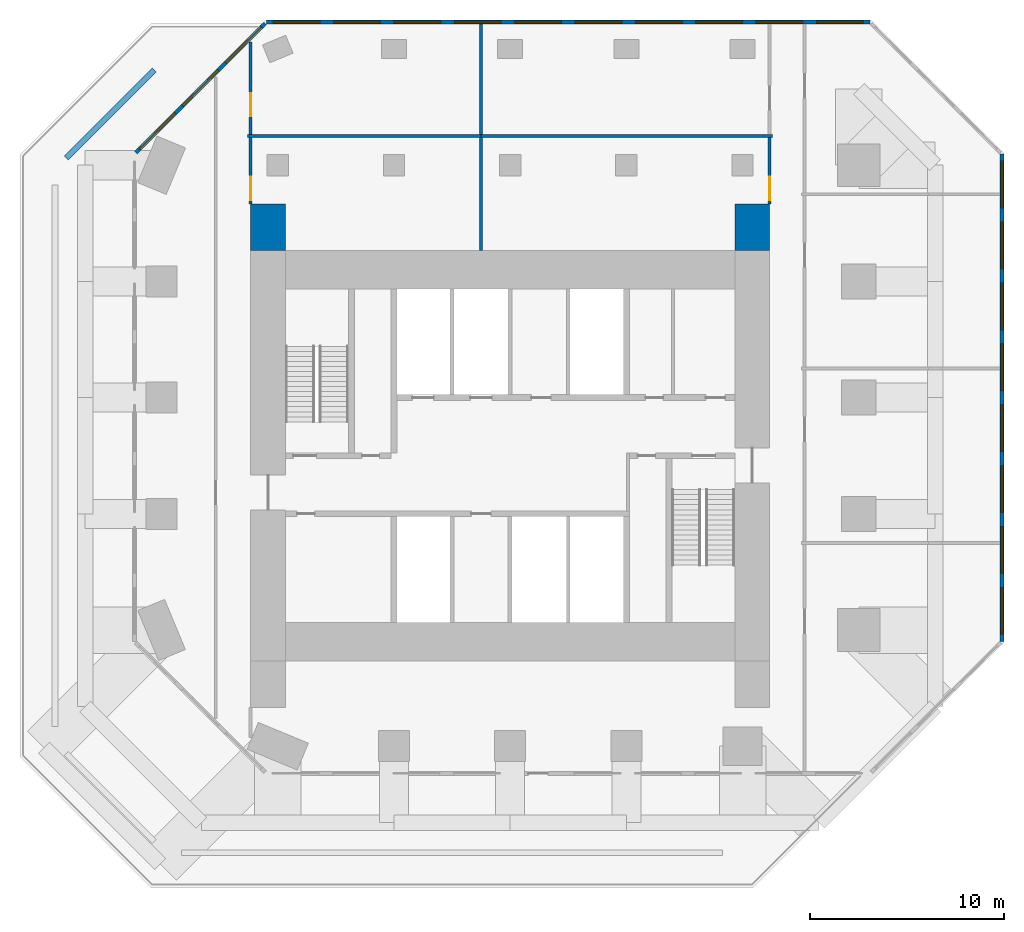
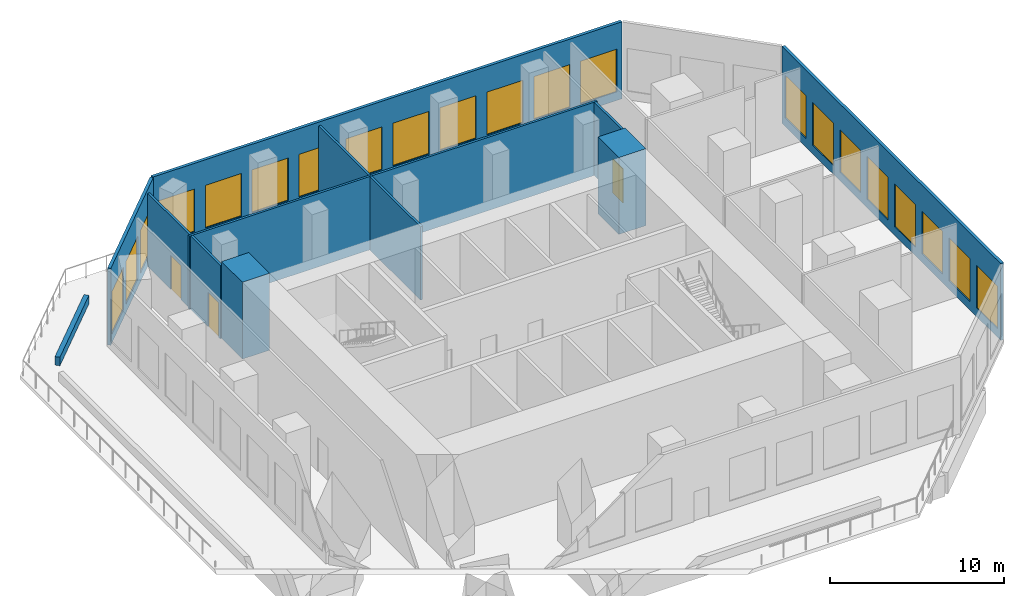
# One storey, part 4 of 6: 21 windows, 13 walls, 3 doors, 24 openings.
"""IFC4 building model written with IfcOpenShell, lengths in metres."""

from ifc_helpers import new_model, si_unit, direction, frame, frame_2d, origin, place, context, subcontext, project, spatial, rectangle, extrude, material, layer, layer_set, type_object, element, fill, save


model = new_model("IFC4")

# Units and contexts
model_context = context("Model", 3, precision=1e-05, world=origin(), true_north=direction((0.0, 1.0)))
body_context = subcontext(model_context, "Body", "Model", "MODEL_VIEW")
ifc_project = project(units=[si_unit("LENGTHUNIT", "METRE"), si_unit("AREAUNIT", "SQUARE_METRE"), si_unit("VOLUMEUNIT", "CUBIC_METRE"), si_unit("PLANEANGLEUNIT", "RADIAN"), si_unit("MASSUNIT", "GRAM", prefix="KILO")], contexts=[model_context])

# Site, building, storey
site_placement = place(None, origin())
site = spatial("IfcSite", under=ifc_project, at=site_placement, CompositionType="ELEMENT")
building_placement = place(site_placement, origin())
building = spatial("IfcBuilding", under=site, at=building_placement, Name="Highveld Stack Headquarters", CompositionType="ELEMENT")
storey_placement = place(building_placement, frame((0.0, 0.0, 239.60009765625)))
storey = spatial("IfcBuildingStorey", under=building, at=storey_placement, Name="L59", CompositionType="ELEMENT", Elevation=239.60009765625)

# Walls
ifc_material_1 = material(Name="Concrete C60/75", Category="concrete")
ifc_layer_1 = layer(ifc_material_1, 1.800048828125)
ifc_layer_set_1 = layer_set([ifc_layer_1], Name="Concrete C60/75")
wall_type_1 = type_object("IfcWallType", Name="CORE WING WALL 1800 C60/75", PredefinedType="SHEAR", material=ifc_layer_set_1)
for number, where, z_axis, x_axis, name in (
    (1, (-6.5, 13.60009765625, 0.0), (0.0, 0.0, 1.0), (0.0, 1.0, 0.0), "Core wing wall WN L59"),
    (2, (18.5, 13.60009765625, 0.0), (0.0, 0.0, 1.0), (0.0, 1.0, 0.0), "Core wing wall EN L59"),
):
    element("IfcWall", number, at=place(storey_placement, frame(where, z_axis=z_axis, x_axis=x_axis)), inside=storey, type_object=wall_type_1, Name=name, PredefinedType="SHEAR", context=body_context, shape_type="SweptSolid", body=[
        extrude(rectangle(XDim=2.39990234375, YDim=1.800048828125, at=frame_2d((1.199951171875, 0.0))), origin(), (0.0, 0.0, 1.0), 5.39990234375),
    ])

# Wall, opening, door
ifc_material_2 = material(Name="Concrete blockwork, plastered", Category="masonry")
ifc_layer_2 = layer(ifc_material_2, 0.14990234375)
ifc_layer_set_2 = layer_set([ifc_layer_2], Name="Concrete blockwork, plastered")
wall_type_2 = type_object("IfcWallType", Name="FIRE PARTITION 150 BLOCKWORK", PredefinedType="PARTITIONING", material=ifc_layer_set_2)
wall_1_placement = place(storey_placement, frame((-7.39990234375, 16.0, 0.0), z_axis=(0.0, 0.0, 1.0), x_axis=(0.0, 1.0, 0.0)))
wall_1 = element("IfcWall", 3, at=wall_1_placement, inside=storey, type_object=wall_type_2, Name="Partition office neighbourhood L59", PredefinedType="PARTITIONING", context=body_context, shape_type="SweptSolid", body=[
    extrude(rectangle(XDim=3.425048828125, YDim=0.14990234375, at=frame_2d((1.71240234375, 0.0))), origin(), (0.0, 0.0, 1.0), 5.14990234375),
])
opening_1_placement = place(wall_1_placement, frame((0.199951171875, 0.0, 0.0)))
opening_1 = element("IfcOpeningElement", 4, at=opening_1_placement, cuts=wall_1, Name="Opening L59-21", PredefinedType="OPENING", context=body_context, shape_type="SweptSolid", body=[
    extrude(rectangle(XDim=1.199951171875, YDim=2.39990234375, at=frame_2d((0.60009765625, 1.199951171875))), frame((0.0, 0.0849609375, 0.0), z_axis=(0.0, -1.0, 0.0), x_axis=(1.0, 0.0, 0.0)), (0.0, 0.0, 1.0), 0.169921875),
])
ifc_material_3 = material(Name="Steel fire door", Category="steel")
door_type = type_object("IfcDoorType", Name="PLANT FIRE DOOR D7 1200x2400", OperationType="SINGLE_SWING_LEFT", PredefinedType="DOOR", material=ifc_material_3)
door_1_placement = place(opening_1_placement, origin())
door_1 = element("IfcDoor", 5, at=door_1_placement, inside=storey, type_object=door_type, Name="Plant room door L59", OperationType="SINGLE_SWING_LEFT", OverallHeight=2.39990234375, OverallWidth=1.199951171875, PredefinedType="DOOR", context=body_context, shape_type="SweptSolid", body=[
    extrude(rectangle(XDim=1.199951171875, YDim=2.39990234375, at=frame_2d((0.60009765625, 1.199951171875))), frame((0.0, 0.02490234375, 0.0), z_axis=(0.0, -1.0, 0.0), x_axis=(1.0, 0.0, 0.0)), (0.0, 0.0, 1.0), 0.050048828125),
])
fill(opening_1, door_1)

wall_2_placement = place(storey_placement, frame((-7.39990234375, 19.574951171875, 0.0), z_axis=(0.0, 0.0, 1.0), x_axis=(0.0, 1.0, 0.0)))
wall_2 = element("IfcWall", 6, at=wall_2_placement, inside=storey, type_object=wall_type_2, Name="Partition office neighbourhood L59", PredefinedType="PARTITIONING", context=body_context, shape_type="SweptSolid", body=[
    extrude(rectangle(XDim=4.781005859375, YDim=0.14990234375, at=frame_2d((2.390625, 0.0))), origin(), (0.0, 0.0, 1.0), 5.14990234375),
])
opening_2_placement = place(wall_2_placement, frame((0.955078125, 0.0, 0.0)))
opening_2 = element("IfcOpeningElement", 7, at=opening_2_placement, cuts=wall_2, Name="Opening L59-18", PredefinedType="OPENING", context=body_context, shape_type="SweptSolid", body=[
    extrude(rectangle(XDim=1.199951171875, YDim=2.39990234375, at=frame_2d((0.60009765625, 1.199951171875))), frame((0.0, 0.0849609375, 0.0), z_axis=(0.0, -1.0, 0.0), x_axis=(1.0, 0.0, 0.0)), (0.0, 0.0, 1.0), 0.169921875),
])
door_2_placement = place(opening_2_placement, origin())
door_2 = element("IfcDoor", 8, at=door_2_placement, inside=storey, type_object=door_type, Name="Plant room door L59", OperationType="SINGLE_SWING_LEFT", OverallHeight=2.39990234375, OverallWidth=1.199951171875, PredefinedType="DOOR", context=body_context, shape_type="SweptSolid", body=[
    extrude(rectangle(XDim=1.199951171875, YDim=2.39990234375, at=frame_2d((0.60009765625, 1.199951171875))), frame((0.0, 0.02490234375, 0.0), z_axis=(0.0, -1.0, 0.0), x_axis=(1.0, 0.0, 0.0)), (0.0, 0.0, 1.0), 0.050048828125),
])
fill(opening_2, door_2)

# Walls
wall_3_placement = place(storey_placement, frame((-7.550048828125, 19.5, 0.0), z_axis=(0.0, 0.0, 1.0), x_axis=(1.0, 0.0, 0.0)))
element("IfcWall", 9, at=wall_3_placement, inside=storey, type_object=wall_type_2, Name="Partition office neighbourhood L59", PredefinedType="PARTITIONING", context=body_context, shape_type="SweptSolid", body=[
    extrude(rectangle(XDim=12.050048828125, YDim=0.14990234375, at=frame_2d((6.02490234375, 0.0))), origin(), (0.0, 0.0, 1.0), 5.14990234375),
])
wall_4_placement = place(storey_placement, frame((4.5, 13.60009765625, 0.0), z_axis=(0.0, 0.0, 1.0), x_axis=(0.0, 1.0, 0.0)))
element("IfcWall", 10, at=wall_4_placement, inside=storey, type_object=wall_type_2, Name="Partition office neighbourhood L59", PredefinedType="PARTITIONING", context=body_context, shape_type="SweptSolid", body=[
    extrude(rectangle(XDim=5.824951171875, YDim=0.14990234375, at=frame_2d((2.91259765625, 0.0))), origin(), (0.0, 0.0, 1.0), 5.14990234375),
])
wall_5_placement = place(storey_placement, frame((4.5, 19.574951171875, 0.0), z_axis=(0.0, 0.0, 1.0), x_axis=(0.0, 1.0, 0.0)))
element("IfcWall", 11, at=wall_5_placement, inside=storey, type_object=wall_type_2, Name="Partition office neighbourhood L59", PredefinedType="PARTITIONING", context=body_context, shape_type="SweptSolid", body=[
    extrude(rectangle(XDim=5.72509765625, YDim=0.14990234375, at=frame_2d((2.862548828125, 0.0))), origin(), (0.0, 0.0, 1.0), 5.14990234375),
])
wall_6_placement = place(storey_placement, frame((4.5, 19.5, 0.0), z_axis=(0.0, 0.0, 1.0), x_axis=(1.0, 0.0, 0.0)))
element("IfcWall", 12, at=wall_6_placement, inside=storey, type_object=wall_type_2, Name="Partition office neighbourhood L59", PredefinedType="PARTITIONING", context=body_context, shape_type="SweptSolid", body=[
    extrude(rectangle(XDim=15.050048828125, YDim=0.14990234375, at=frame_2d((7.52490234375, 0.0))), origin(), (0.0, 0.0, 1.0), 5.14990234375),
])

# Wall, opening, door
wall_7_placement = place(storey_placement, frame((19.39990234375, 16.0, 0.0), z_axis=(0.0, 0.0, 1.0), x_axis=(0.0, 1.0, 0.0)))
wall_7 = element("IfcWall", 13, at=wall_7_placement, inside=storey, type_object=wall_type_2, Name="Partition office neighbourhood L59", PredefinedType="PARTITIONING", context=body_context, shape_type="SweptSolid", body=[
    extrude(rectangle(XDim=3.425048828125, YDim=0.14990234375, at=frame_2d((1.71240234375, 0.0))), origin(), (0.0, 0.0, 1.0), 5.14990234375),
])
opening_3_placement = place(wall_7_placement, frame((0.199951171875, 0.0, 0.0)))
opening_3 = element("IfcOpeningElement", 14, at=opening_3_placement, cuts=wall_7, Name="Opening L59-20", PredefinedType="OPENING", context=body_context, shape_type="SweptSolid", body=[
    extrude(rectangle(XDim=1.199951171875, YDim=2.39990234375, at=frame_2d((0.60009765625, 1.199951171875))), frame((0.0, 0.0849609375, 0.0), z_axis=(0.0, -1.0, 0.0), x_axis=(1.0, 0.0, 0.0)), (0.0, 0.0, 1.0), 0.169921875),
])
door_3_placement = place(opening_3_placement, origin())
door_3 = element("IfcDoor", 15, at=door_3_placement, inside=storey, type_object=door_type, Name="Plant room door L59", OperationType="SINGLE_SWING_LEFT", OverallHeight=2.39990234375, OverallWidth=1.199951171875, PredefinedType="DOOR", context=body_context, shape_type="SweptSolid", body=[
    extrude(rectangle(XDim=1.199951171875, YDim=2.39990234375, at=frame_2d((0.60009765625, 1.199951171875))), frame((0.0, 0.02490234375, 0.0), z_axis=(0.0, -1.0, 0.0), x_axis=(1.0, 0.0, 0.0)), (0.0, 0.0, 1.0), 0.050048828125),
])
fill(opening_3, door_3)

# Wall
ifc_material_4 = material(Name="Concrete C40/50, precast planter", Category="concrete")
ifc_layer_3 = layer(ifc_material_4, 0.300048828125)
ifc_layer_set_3 = layer_set([ifc_layer_3], Name="Concrete C40/50, precast planter")
wall_type_3 = type_object("IfcWallType", Name="PLANTER WALL PL1 300", PredefinedType="USERDEFINED", material=ifc_layer_set_3)
wall_8_placement = place(storey_placement, frame((-16.922607421875, 18.370361328125, 0.0), z_axis=(0.0, 0.0, 1.0), x_axis=(0.707106781187, 0.707106781187, 0.0)))
element("IfcWall", 16, at=wall_8_placement, inside=storey, type_object=wall_type_3, Name="Planter L59 1.5", ObjectType="PLANTER", PredefinedType="USERDEFINED", context=body_context, shape_type="SweptSolid", body=[
    extrude(rectangle(XDim=6.437744140625, YDim=0.300048828125, at=frame_2d((3.21875, 0.0))), origin(), (0.0, 0.0, 1.0), 0.599853515625),
])

# Wall, openings, windows
ifc_material_5 = material(Name="Concrete C40/50, precast cladding", Category="concrete")
ifc_layer_4 = layer(ifc_material_5, 0.199951171875)
ifc_layer_set_4 = layer_set([ifc_layer_4], Name="Concrete C40/50, precast cladding")
wall_type_4 = type_object("IfcWallType", Name="PRECAST LOUVRE WALL 200", PredefinedType="USERDEFINED", material=ifc_layer_set_4)
wall_9_placement = place(storey_placement, frame((31.39990234375, -6.579833984375, 0.0), z_axis=(0.0, 0.0, 1.0), x_axis=(0.0, 1.0, 0.0)))
wall_9 = element("IfcWall", 17, at=wall_9_placement, inside=storey, type_object=wall_type_4, Name="Precast louvre wall L59 E", ObjectType="PRECAST CLADDING", PredefinedType="USERDEFINED", context=body_context, shape_type="SweptSolid", body=[
    extrude(rectangle(XDim=25.15966796875, YDim=0.199951171875, at=frame_2d((12.579833984375, 0.0))), origin(), (0.0, 0.0, 1.0), 5.39990234375),
])
opening_4_placement = place(wall_9_placement, frame((0.37255859375, 0.0, 0.60009765625)))
opening_4 = element("IfcOpeningElement", 18, at=opening_4_placement, cuts=wall_9, Name="Opening L1", PredefinedType="OPENING", context=body_context, shape_type="SweptSolid", body=[
    extrude(rectangle(XDim=2.39990234375, YDim=3.0, at=frame_2d((1.199951171875, 1.5))), frame((0.0, 0.10986328125, 0.0), z_axis=(0.0, -1.0, 0.0), x_axis=(1.0, 0.0, 0.0)), (0.0, 0.0, 1.0), 0.219970703125),
])
opening_5_placement = place(wall_9_placement, frame((3.517578125, 0.0, 0.60009765625)))
opening_5 = element("IfcOpeningElement", 19, at=opening_5_placement, cuts=wall_9, Name="Opening L1", PredefinedType="OPENING", context=body_context, shape_type="SweptSolid", body=[
    extrude(rectangle(XDim=2.39990234375, YDim=3.0, at=frame_2d((1.199951171875, 1.5))), frame((0.0, 0.10986328125, 0.0), z_axis=(0.0, -1.0, 0.0), x_axis=(1.0, 0.0, 0.0)), (0.0, 0.0, 1.0), 0.219970703125),
])
opening_6_placement = place(wall_9_placement, frame((6.662353515625, 0.0, 0.60009765625)))
opening_6 = element("IfcOpeningElement", 20, at=opening_6_placement, cuts=wall_9, Name="Opening L1", PredefinedType="OPENING", context=body_context, shape_type="SweptSolid", body=[
    extrude(rectangle(XDim=2.39990234375, YDim=3.0, at=frame_2d((1.199951171875, 1.5))), frame((0.0, 0.10986328125, 0.0), z_axis=(0.0, -1.0, 0.0), x_axis=(1.0, 0.0, 0.0)), (0.0, 0.0, 1.0), 0.219970703125),
])
opening_7_placement = place(wall_9_placement, frame((9.807373046875, 0.0, 0.60009765625)))
opening_7 = element("IfcOpeningElement", 21, at=opening_7_placement, cuts=wall_9, Name="Opening L1", PredefinedType="OPENING", context=body_context, shape_type="SweptSolid", body=[
    extrude(rectangle(XDim=2.39990234375, YDim=3.0, at=frame_2d((1.199951171875, 1.5))), frame((0.0, 0.10986328125, 0.0), z_axis=(0.0, -1.0, 0.0), x_axis=(1.0, 0.0, 0.0)), (0.0, 0.0, 1.0), 0.219970703125),
])
opening_8_placement = place(wall_9_placement, frame((12.952392578125, 0.0, 0.60009765625)))
opening_8 = element("IfcOpeningElement", 22, at=opening_8_placement, cuts=wall_9, Name="Opening L1", PredefinedType="OPENING", context=body_context, shape_type="SweptSolid", body=[
    extrude(rectangle(XDim=2.39990234375, YDim=3.0, at=frame_2d((1.199951171875, 1.5))), frame((0.0, 0.10986328125, 0.0), z_axis=(0.0, -1.0, 0.0), x_axis=(1.0, 0.0, 0.0)), (0.0, 0.0, 1.0), 0.219970703125),
])
opening_9_placement = place(wall_9_placement, frame((16.097412109375, 0.0, 0.60009765625)))
opening_9 = element("IfcOpeningElement", 23, at=opening_9_placement, cuts=wall_9, Name="Opening L1", PredefinedType="OPENING", context=body_context, shape_type="SweptSolid", body=[
    extrude(rectangle(XDim=2.39990234375, YDim=3.0, at=frame_2d((1.199951171875, 1.5))), frame((0.0, 0.10986328125, 0.0), z_axis=(0.0, -1.0, 0.0), x_axis=(1.0, 0.0, 0.0)), (0.0, 0.0, 1.0), 0.219970703125),
])
opening_10_placement = place(wall_9_placement, frame((19.2421875, 0.0, 0.60009765625)))
opening_10 = element("IfcOpeningElement", 24, at=opening_10_placement, cuts=wall_9, Name="Opening L1", PredefinedType="OPENING", context=body_context, shape_type="SweptSolid", body=[
    extrude(rectangle(XDim=2.39990234375, YDim=3.0, at=frame_2d((1.199951171875, 1.5))), frame((0.0, 0.10986328125, 0.0), z_axis=(0.0, -1.0, 0.0), x_axis=(1.0, 0.0, 0.0)), (0.0, 0.0, 1.0), 0.219970703125),
])
opening_11_placement = place(wall_9_placement, frame((22.38720703125, 0.0, 0.60009765625)))
opening_11 = element("IfcOpeningElement", 25, at=opening_11_placement, cuts=wall_9, Name="Opening L1", PredefinedType="OPENING", context=body_context, shape_type="SweptSolid", body=[
    extrude(rectangle(XDim=2.39990234375, YDim=3.0, at=frame_2d((1.199951171875, 1.5))), frame((0.0, 0.10986328125, 0.0), z_axis=(0.0, -1.0, 0.0), x_axis=(1.0, 0.0, 0.0)), (0.0, 0.0, 1.0), 0.219970703125),
])
ifc_material_6 = material(Name="Aluminium bronze anodised", Category="aluminium")
window_type_1 = type_object("IfcWindowType", Name="LOUVRE L1 2400x3000", PartitioningType="SINGLE_PANEL", PredefinedType="USERDEFINED", material=ifc_material_6)
window_1_placement = place(opening_4_placement, origin())
window_1 = element("IfcWindow", 26, at=window_1_placement, inside=storey, type_object=window_type_1, Name="Louvre L59 E 1", ObjectType="LOUVRE", OverallHeight=3.0, OverallWidth=2.39990234375, PartitioningType="SINGLE_PANEL", PredefinedType="USERDEFINED", context=body_context, shape_type="SweptSolid", body=[
    extrude(rectangle(XDim=2.39990234375, YDim=3.0, at=frame_2d((1.199951171875, 1.5))), frame((0.0, 0.030029296875, 0.0), z_axis=(0.0, -1.0, 0.0), x_axis=(1.0, 0.0, 0.0)), (0.0, 0.0, 1.0), 0.06005859375),
])
fill(opening_4, window_1)
window_2_placement = place(opening_5_placement, origin())
window_2 = element("IfcWindow", 27, at=window_2_placement, inside=storey, type_object=window_type_1, Name="Louvre L59 E 2", ObjectType="LOUVRE", OverallHeight=3.0, OverallWidth=2.39990234375, PartitioningType="SINGLE_PANEL", PredefinedType="USERDEFINED", context=body_context, shape_type="SweptSolid", body=[
    extrude(rectangle(XDim=2.39990234375, YDim=3.0, at=frame_2d((1.199951171875, 1.5))), frame((0.0, 0.030029296875, 0.0), z_axis=(0.0, -1.0, 0.0), x_axis=(1.0, 0.0, 0.0)), (0.0, 0.0, 1.0), 0.06005859375),
])
fill(opening_5, window_2)
window_3_placement = place(opening_6_placement, origin())
window_3 = element("IfcWindow", 28, at=window_3_placement, inside=storey, type_object=window_type_1, Name="Louvre L59 E 3", ObjectType="LOUVRE", OverallHeight=3.0, OverallWidth=2.39990234375, PartitioningType="SINGLE_PANEL", PredefinedType="USERDEFINED", context=body_context, shape_type="SweptSolid", body=[
    extrude(rectangle(XDim=2.39990234375, YDim=3.0, at=frame_2d((1.199951171875, 1.5))), frame((0.0, 0.030029296875, 0.0), z_axis=(0.0, -1.0, 0.0), x_axis=(1.0, 0.0, 0.0)), (0.0, 0.0, 1.0), 0.06005859375),
])
fill(opening_6, window_3)
window_4_placement = place(opening_7_placement, origin())
window_4 = element("IfcWindow", 29, at=window_4_placement, inside=storey, type_object=window_type_1, Name="Louvre L59 E 4", ObjectType="LOUVRE", OverallHeight=3.0, OverallWidth=2.39990234375, PartitioningType="SINGLE_PANEL", PredefinedType="USERDEFINED", context=body_context, shape_type="SweptSolid", body=[
    extrude(rectangle(XDim=2.39990234375, YDim=3.0, at=frame_2d((1.199951171875, 1.5))), frame((0.0, 0.030029296875, 0.0), z_axis=(0.0, -1.0, 0.0), x_axis=(1.0, 0.0, 0.0)), (0.0, 0.0, 1.0), 0.06005859375),
])
fill(opening_7, window_4)
window_5_placement = place(opening_8_placement, origin())
window_5 = element("IfcWindow", 30, at=window_5_placement, inside=storey, type_object=window_type_1, Name="Louvre L59 E 5", ObjectType="LOUVRE", OverallHeight=3.0, OverallWidth=2.39990234375, PartitioningType="SINGLE_PANEL", PredefinedType="USERDEFINED", context=body_context, shape_type="SweptSolid", body=[
    extrude(rectangle(XDim=2.39990234375, YDim=3.0, at=frame_2d((1.199951171875, 1.5))), frame((0.0, 0.030029296875, 0.0), z_axis=(0.0, -1.0, 0.0), x_axis=(1.0, 0.0, 0.0)), (0.0, 0.0, 1.0), 0.06005859375),
])
fill(opening_8, window_5)
window_6_placement = place(opening_9_placement, origin())
window_6 = element("IfcWindow", 31, at=window_6_placement, inside=storey, type_object=window_type_1, Name="Louvre L59 E 6", ObjectType="LOUVRE", OverallHeight=3.0, OverallWidth=2.39990234375, PartitioningType="SINGLE_PANEL", PredefinedType="USERDEFINED", context=body_context, shape_type="SweptSolid", body=[
    extrude(rectangle(XDim=2.39990234375, YDim=3.0, at=frame_2d((1.199951171875, 1.5))), frame((0.0, 0.030029296875, 0.0), z_axis=(0.0, -1.0, 0.0), x_axis=(1.0, 0.0, 0.0)), (0.0, 0.0, 1.0), 0.06005859375),
])
fill(opening_9, window_6)
window_7_placement = place(opening_10_placement, origin())
window_7 = element("IfcWindow", 32, at=window_7_placement, inside=storey, type_object=window_type_1, Name="Louvre L59 E 7", ObjectType="LOUVRE", OverallHeight=3.0, OverallWidth=2.39990234375, PartitioningType="SINGLE_PANEL", PredefinedType="USERDEFINED", context=body_context, shape_type="SweptSolid", body=[
    extrude(rectangle(XDim=2.39990234375, YDim=3.0, at=frame_2d((1.199951171875, 1.5))), frame((0.0, 0.030029296875, 0.0), z_axis=(0.0, -1.0, 0.0), x_axis=(1.0, 0.0, 0.0)), (0.0, 0.0, 1.0), 0.06005859375),
])
fill(opening_10, window_7)
window_8_placement = place(opening_11_placement, origin())
window_8 = element("IfcWindow", 33, at=window_8_placement, inside=storey, type_object=window_type_1, Name="Louvre L59 E 8", ObjectType="LOUVRE", OverallHeight=3.0, OverallWidth=2.39990234375, PartitioningType="SINGLE_PANEL", PredefinedType="USERDEFINED", context=body_context, shape_type="SweptSolid", body=[
    extrude(rectangle(XDim=2.39990234375, YDim=3.0, at=frame_2d((1.199951171875, 1.5))), frame((0.0, 0.030029296875, 0.0), z_axis=(0.0, -1.0, 0.0), x_axis=(1.0, 0.0, 0.0)), (0.0, 0.0, 1.0), 0.06005859375),
])
fill(opening_11, window_8)

wall_10_placement = place(storey_placement, frame((24.579833984375, 25.39990234375, 0.0), z_axis=(0.0, 0.0, 1.0), x_axis=(-1.0, 0.0, 0.0)))
wall_10 = element("IfcWall", 34, at=wall_10_placement, inside=storey, type_object=wall_type_4, Name="Precast louvre wall L59 N", ObjectType="PRECAST CLADDING", PredefinedType="USERDEFINED", context=body_context, shape_type="SweptSolid", body=[
    extrude(rectangle(XDim=31.15966796875, YDim=0.199951171875, at=frame_2d((15.579833984375, 0.0))), origin(), (0.0, 0.0, 1.0), 5.39990234375),
])
opening_12_placement = place(wall_10_placement, frame((0.35791015625, 0.0, 0.60009765625)))
opening_12 = element("IfcOpeningElement", 35, at=opening_12_placement, cuts=wall_10, Name="Opening L1", PredefinedType="OPENING", context=body_context, shape_type="SweptSolid", body=[
    extrude(rectangle(XDim=2.39990234375, YDim=3.0, at=frame_2d((1.199951171875, 1.5))), frame((0.0, 0.10986328125, 0.0), z_axis=(0.0, -1.0, 0.0), x_axis=(1.0, 0.0, 0.0)), (0.0, 0.0, 1.0), 0.219970703125),
])
opening_13_placement = place(wall_10_placement, frame((3.47412109375, 0.0, 0.60009765625)))
opening_13 = element("IfcOpeningElement", 36, at=opening_13_placement, cuts=wall_10, Name="Opening L1", PredefinedType="OPENING", context=body_context, shape_type="SweptSolid", body=[
    extrude(rectangle(XDim=2.39990234375, YDim=3.0, at=frame_2d((1.199951171875, 1.5))), frame((0.0, 0.10986328125, 0.0), z_axis=(0.0, -1.0, 0.0), x_axis=(1.0, 0.0, 0.0)), (0.0, 0.0, 1.0), 0.219970703125),
])
opening_14_placement = place(wall_10_placement, frame((6.58984375, 0.0, 0.60009765625)))
opening_14 = element("IfcOpeningElement", 37, at=opening_14_placement, cuts=wall_10, Name="Opening L1", PredefinedType="OPENING", context=body_context, shape_type="SweptSolid", body=[
    extrude(rectangle(XDim=2.39990234375, YDim=3.0, at=frame_2d((1.199951171875, 1.5))), frame((0.0, 0.10986328125, 0.0), z_axis=(0.0, -1.0, 0.0), x_axis=(1.0, 0.0, 0.0)), (0.0, 0.0, 1.0), 0.219970703125),
])
opening_15_placement = place(wall_10_placement, frame((9.705810546875, 0.0, 0.60009765625)))
opening_15 = element("IfcOpeningElement", 38, at=opening_15_placement, cuts=wall_10, Name="Opening L1", PredefinedType="OPENING", context=body_context, shape_type="SweptSolid", body=[
    extrude(rectangle(XDim=2.39990234375, YDim=3.0, at=frame_2d((1.199951171875, 1.5))), frame((0.0, 0.10986328125, 0.0), z_axis=(0.0, -1.0, 0.0), x_axis=(1.0, 0.0, 0.0)), (0.0, 0.0, 1.0), 0.219970703125),
])
opening_16_placement = place(wall_10_placement, frame((12.822021484375, 0.0, 0.60009765625)))
opening_16 = element("IfcOpeningElement", 39, at=opening_16_placement, cuts=wall_10, Name="Opening L1", PredefinedType="OPENING", context=body_context, shape_type="SweptSolid", body=[
    extrude(rectangle(XDim=2.39990234375, YDim=3.0, at=frame_2d((1.199951171875, 1.5))), frame((0.0, 0.10986328125, 0.0), z_axis=(0.0, -1.0, 0.0), x_axis=(1.0, 0.0, 0.0)), (0.0, 0.0, 1.0), 0.219970703125),
])
opening_17_placement = place(wall_10_placement, frame((15.93798828125, 0.0, 0.60009765625)))
opening_17 = element("IfcOpeningElement", 40, at=opening_17_placement, cuts=wall_10, Name="Opening L1", PredefinedType="OPENING", context=body_context, shape_type="SweptSolid", body=[
    extrude(rectangle(XDim=2.39990234375, YDim=3.0, at=frame_2d((1.199951171875, 1.5))), frame((0.0, 0.10986328125, 0.0), z_axis=(0.0, -1.0, 0.0), x_axis=(1.0, 0.0, 0.0)), (0.0, 0.0, 1.0), 0.219970703125),
])
opening_18_placement = place(wall_10_placement, frame((19.053955078125, 0.0, 0.60009765625)))
opening_18 = element("IfcOpeningElement", 41, at=opening_18_placement, cuts=wall_10, Name="Opening L1", PredefinedType="OPENING", context=body_context, shape_type="SweptSolid", body=[
    extrude(rectangle(XDim=2.39990234375, YDim=3.0, at=frame_2d((1.199951171875, 1.5))), frame((0.0, 0.10986328125, 0.0), z_axis=(0.0, -1.0, 0.0), x_axis=(1.0, 0.0, 0.0)), (0.0, 0.0, 1.0), 0.219970703125),
])
opening_19_placement = place(wall_10_placement, frame((22.169921875, 0.0, 0.60009765625)))
opening_19 = element("IfcOpeningElement", 42, at=opening_19_placement, cuts=wall_10, Name="Opening L1", PredefinedType="OPENING", context=body_context, shape_type="SweptSolid", body=[
    extrude(rectangle(XDim=2.39990234375, YDim=3.0, at=frame_2d((1.199951171875, 1.5))), frame((0.0, 0.10986328125, 0.0), z_axis=(0.0, -1.0, 0.0), x_axis=(1.0, 0.0, 0.0)), (0.0, 0.0, 1.0), 0.219970703125),
])
opening_20_placement = place(wall_10_placement, frame((25.285888671875, 0.0, 0.60009765625)))
opening_20 = element("IfcOpeningElement", 43, at=opening_20_placement, cuts=wall_10, Name="Opening L1", PredefinedType="OPENING", context=body_context, shape_type="SweptSolid", body=[
    extrude(rectangle(XDim=2.39990234375, YDim=3.0, at=frame_2d((1.199951171875, 1.5))), frame((0.0, 0.10986328125, 0.0), z_axis=(0.0, -1.0, 0.0), x_axis=(1.0, 0.0, 0.0)), (0.0, 0.0, 1.0), 0.219970703125),
])
opening_21_placement = place(wall_10_placement, frame((28.40185546875, 0.0, 0.60009765625)))
opening_21 = element("IfcOpeningElement", 44, at=opening_21_placement, cuts=wall_10, Name="Opening L1", PredefinedType="OPENING", context=body_context, shape_type="SweptSolid", body=[
    extrude(rectangle(XDim=2.39990234375, YDim=3.0, at=frame_2d((1.199951171875, 1.5))), frame((0.0, 0.10986328125, 0.0), z_axis=(0.0, -1.0, 0.0), x_axis=(1.0, 0.0, 0.0)), (0.0, 0.0, 1.0), 0.219970703125),
])
window_9_placement = place(opening_12_placement, origin())
window_9 = element("IfcWindow", 45, at=window_9_placement, inside=storey, type_object=window_type_1, Name="Louvre L59 N 1", ObjectType="LOUVRE", OverallHeight=3.0, OverallWidth=2.39990234375, PartitioningType="SINGLE_PANEL", PredefinedType="USERDEFINED", context=body_context, shape_type="SweptSolid", body=[
    extrude(rectangle(XDim=2.39990234375, YDim=3.0, at=frame_2d((1.199951171875, 1.5))), frame((0.0, 0.030029296875, 0.0), z_axis=(0.0, -1.0, 0.0), x_axis=(1.0, 0.0, 0.0)), (0.0, 0.0, 1.0), 0.06005859375),
])
fill(opening_12, window_9)
window_10_placement = place(opening_13_placement, origin())
window_10 = element("IfcWindow", 46, at=window_10_placement, inside=storey, type_object=window_type_1, Name="Louvre L59 N 2", ObjectType="LOUVRE", OverallHeight=3.0, OverallWidth=2.39990234375, PartitioningType="SINGLE_PANEL", PredefinedType="USERDEFINED", context=body_context, shape_type="SweptSolid", body=[
    extrude(rectangle(XDim=2.39990234375, YDim=3.0, at=frame_2d((1.199951171875, 1.5))), frame((0.0, 0.030029296875, 0.0), z_axis=(0.0, -1.0, 0.0), x_axis=(1.0, 0.0, 0.0)), (0.0, 0.0, 1.0), 0.06005859375),
])
fill(opening_13, window_10)
window_11_placement = place(opening_14_placement, origin())
window_11 = element("IfcWindow", 47, at=window_11_placement, inside=storey, type_object=window_type_1, Name="Louvre L59 N 3", ObjectType="LOUVRE", OverallHeight=3.0, OverallWidth=2.39990234375, PartitioningType="SINGLE_PANEL", PredefinedType="USERDEFINED", context=body_context, shape_type="SweptSolid", body=[
    extrude(rectangle(XDim=2.39990234375, YDim=3.0, at=frame_2d((1.199951171875, 1.5))), frame((0.0, 0.030029296875, 0.0), z_axis=(0.0, -1.0, 0.0), x_axis=(1.0, 0.0, 0.0)), (0.0, 0.0, 1.0), 0.06005859375),
])
fill(opening_14, window_11)
window_12_placement = place(opening_15_placement, origin())
window_12 = element("IfcWindow", 48, at=window_12_placement, inside=storey, type_object=window_type_1, Name="Louvre L59 N 4", ObjectType="LOUVRE", OverallHeight=3.0, OverallWidth=2.39990234375, PartitioningType="SINGLE_PANEL", PredefinedType="USERDEFINED", context=body_context, shape_type="SweptSolid", body=[
    extrude(rectangle(XDim=2.39990234375, YDim=3.0, at=frame_2d((1.199951171875, 1.5))), frame((0.0, 0.030029296875, 0.0), z_axis=(0.0, -1.0, 0.0), x_axis=(1.0, 0.0, 0.0)), (0.0, 0.0, 1.0), 0.06005859375),
])
fill(opening_15, window_12)
window_13_placement = place(opening_16_placement, origin())
window_13 = element("IfcWindow", 49, at=window_13_placement, inside=storey, type_object=window_type_1, Name="Louvre L59 N 5", ObjectType="LOUVRE", OverallHeight=3.0, OverallWidth=2.39990234375, PartitioningType="SINGLE_PANEL", PredefinedType="USERDEFINED", context=body_context, shape_type="SweptSolid", body=[
    extrude(rectangle(XDim=2.39990234375, YDim=3.0, at=frame_2d((1.199951171875, 1.5))), frame((0.0, 0.030029296875, 0.0), z_axis=(0.0, -1.0, 0.0), x_axis=(1.0, 0.0, 0.0)), (0.0, 0.0, 1.0), 0.06005859375),
])
fill(opening_16, window_13)
window_14_placement = place(opening_17_placement, origin())
window_14 = element("IfcWindow", 50, at=window_14_placement, inside=storey, type_object=window_type_1, Name="Louvre L59 N 6", ObjectType="LOUVRE", OverallHeight=3.0, OverallWidth=2.39990234375, PartitioningType="SINGLE_PANEL", PredefinedType="USERDEFINED", context=body_context, shape_type="SweptSolid", body=[
    extrude(rectangle(XDim=2.39990234375, YDim=3.0, at=frame_2d((1.199951171875, 1.5))), frame((0.0, 0.030029296875, 0.0), z_axis=(0.0, -1.0, 0.0), x_axis=(1.0, 0.0, 0.0)), (0.0, 0.0, 1.0), 0.06005859375),
])
fill(opening_17, window_14)
window_15_placement = place(opening_18_placement, origin())
window_15 = element("IfcWindow", 51, at=window_15_placement, inside=storey, type_object=window_type_1, Name="Louvre L59 N 7", ObjectType="LOUVRE", OverallHeight=3.0, OverallWidth=2.39990234375, PartitioningType="SINGLE_PANEL", PredefinedType="USERDEFINED", context=body_context, shape_type="SweptSolid", body=[
    extrude(rectangle(XDim=2.39990234375, YDim=3.0, at=frame_2d((1.199951171875, 1.5))), frame((0.0, 0.030029296875, 0.0), z_axis=(0.0, -1.0, 0.0), x_axis=(1.0, 0.0, 0.0)), (0.0, 0.0, 1.0), 0.06005859375),
])
fill(opening_18, window_15)
window_16_placement = place(opening_19_placement, origin())
window_16 = element("IfcWindow", 52, at=window_16_placement, inside=storey, type_object=window_type_1, Name="Louvre L59 N 8", ObjectType="LOUVRE", OverallHeight=3.0, OverallWidth=2.39990234375, PartitioningType="SINGLE_PANEL", PredefinedType="USERDEFINED", context=body_context, shape_type="SweptSolid", body=[
    extrude(rectangle(XDim=2.39990234375, YDim=3.0, at=frame_2d((1.199951171875, 1.5))), frame((0.0, 0.030029296875, 0.0), z_axis=(0.0, -1.0, 0.0), x_axis=(1.0, 0.0, 0.0)), (0.0, 0.0, 1.0), 0.06005859375),
])
fill(opening_19, window_16)
window_17_placement = place(opening_20_placement, origin())
window_17 = element("IfcWindow", 53, at=window_17_placement, inside=storey, type_object=window_type_1, Name="Louvre L59 N 9", ObjectType="LOUVRE", OverallHeight=3.0, OverallWidth=2.39990234375, PartitioningType="SINGLE_PANEL", PredefinedType="USERDEFINED", context=body_context, shape_type="SweptSolid", body=[
    extrude(rectangle(XDim=2.39990234375, YDim=3.0, at=frame_2d((1.199951171875, 1.5))), frame((0.0, 0.030029296875, 0.0), z_axis=(0.0, -1.0, 0.0), x_axis=(1.0, 0.0, 0.0)), (0.0, 0.0, 1.0), 0.06005859375),
])
fill(opening_20, window_17)
window_18_placement = place(opening_21_placement, origin())
window_18 = element("IfcWindow", 54, at=window_18_placement, inside=storey, type_object=window_type_1, Name="Louvre L59 N 10", ObjectType="LOUVRE", OverallHeight=3.0, OverallWidth=2.39990234375, PartitioningType="SINGLE_PANEL", PredefinedType="USERDEFINED", context=body_context, shape_type="SweptSolid", body=[
    extrude(rectangle(XDim=2.39990234375, YDim=3.0, at=frame_2d((1.199951171875, 1.5))), frame((0.0, 0.030029296875, 0.0), z_axis=(0.0, -1.0, 0.0), x_axis=(1.0, 0.0, 0.0)), (0.0, 0.0, 1.0), 0.06005859375),
])
fill(opening_21, window_18)

wall_11_placement = place(storey_placement, frame((-6.650634765625, 25.329345703125, 0.0), z_axis=(0.0, 0.0, 1.0), x_axis=(-0.707106781187, -0.707106781187, 0.0)))
wall_11 = element("IfcWall", 55, at=wall_11_placement, inside=storey, type_object=wall_type_4, Name="Precast louvre wall L59 NW", ObjectType="PRECAST CLADDING", PredefinedType="USERDEFINED", context=body_context, shape_type="SweptSolid", body=[
    extrude(rectangle(XDim=9.445068359375, YDim=0.199951171875, at=frame_2d((4.72265625, 0.0))), origin(), (0.0, 0.0, 1.0), 5.39990234375),
])
opening_22_placement = place(wall_11_placement, frame((0.274169921875, 0.0, 0.60009765625)))
opening_22 = element("IfcOpeningElement", 56, at=opening_22_placement, cuts=wall_11, Name="Opening L2", PredefinedType="OPENING", context=body_context, shape_type="SweptSolid", body=[
    extrude(rectangle(XDim=2.60009765625, YDim=3.0, at=frame_2d((1.300048828125, 1.5))), frame((0.0, 0.10986328125, 0.0), z_axis=(0.0, -1.0, 0.0), x_axis=(1.0, 0.0, 0.0)), (0.0, 0.0, 1.0), 0.219970703125),
])
opening_23_placement = place(wall_11_placement, frame((3.422607421875, 0.0, 0.60009765625)))
opening_23 = element("IfcOpeningElement", 57, at=opening_23_placement, cuts=wall_11, Name="Opening L2", PredefinedType="OPENING", context=body_context, shape_type="SweptSolid", body=[
    extrude(rectangle(XDim=2.60009765625, YDim=3.0, at=frame_2d((1.300048828125, 1.5))), frame((0.0, 0.10986328125, 0.0), z_axis=(0.0, -1.0, 0.0), x_axis=(1.0, 0.0, 0.0)), (0.0, 0.0, 1.0), 0.219970703125),
])
opening_24_placement = place(wall_11_placement, frame((6.57080078125, 0.0, 0.60009765625)))
opening_24 = element("IfcOpeningElement", 58, at=opening_24_placement, cuts=wall_11, Name="Opening L2", PredefinedType="OPENING", context=body_context, shape_type="SweptSolid", body=[
    extrude(rectangle(XDim=2.60009765625, YDim=3.0, at=frame_2d((1.300048828125, 1.5))), frame((0.0, 0.10986328125, 0.0), z_axis=(0.0, -1.0, 0.0), x_axis=(1.0, 0.0, 0.0)), (0.0, 0.0, 1.0), 0.219970703125),
])
ifc_material_7 = material(Name="Aluminium bronze anodised", Category="aluminium")
window_type_2 = type_object("IfcWindowType", Name="LOUVRE L2 2400x3000 CHAMFER", PartitioningType="SINGLE_PANEL", PredefinedType="USERDEFINED", material=ifc_material_7)
window_19_placement = place(opening_22_placement, origin())
window_19 = element("IfcWindow", 59, at=window_19_placement, inside=storey, type_object=window_type_2, Name="Louvre L59 NW 1", ObjectType="LOUVRE", OverallHeight=3.0, OverallWidth=2.60009765625, PartitioningType="SINGLE_PANEL", PredefinedType="USERDEFINED", context=body_context, shape_type="SweptSolid", body=[
    extrude(rectangle(XDim=2.60009765625, YDim=3.0, at=frame_2d((1.300048828125, 1.5))), frame((0.0, 0.030029296875, 0.0), z_axis=(0.0, -1.0, 0.0), x_axis=(1.0, 0.0, 0.0)), (0.0, 0.0, 1.0), 0.06005859375),
])
fill(opening_22, window_19)
window_20_placement = place(opening_23_placement, origin())
window_20 = element("IfcWindow", 60, at=window_20_placement, inside=storey, type_object=window_type_2, Name="Louvre L59 NW 2", ObjectType="LOUVRE", OverallHeight=3.0, OverallWidth=2.60009765625, PartitioningType="SINGLE_PANEL", PredefinedType="USERDEFINED", context=body_context, shape_type="SweptSolid", body=[
    extrude(rectangle(XDim=2.60009765625, YDim=3.0, at=frame_2d((1.300048828125, 1.5))), frame((0.0, 0.030029296875, 0.0), z_axis=(0.0, -1.0, 0.0), x_axis=(1.0, 0.0, 0.0)), (0.0, 0.0, 1.0), 0.06005859375),
])
fill(opening_23, window_20)
window_21_placement = place(opening_24_placement, origin())
window_21 = element("IfcWindow", 61, at=window_21_placement, inside=storey, type_object=window_type_2, Name="Louvre L59 NW 3", ObjectType="LOUVRE", OverallHeight=3.0, OverallWidth=2.60009765625, PartitioningType="SINGLE_PANEL", PredefinedType="USERDEFINED", context=body_context, shape_type="SweptSolid", body=[
    extrude(rectangle(XDim=2.60009765625, YDim=3.0, at=frame_2d((1.300048828125, 1.5))), frame((0.0, 0.030029296875, 0.0), z_axis=(0.0, -1.0, 0.0), x_axis=(1.0, 0.0, 0.0)), (0.0, 0.0, 1.0), 0.06005859375),
])
fill(opening_24, window_21)

save(model, "model.ifc")
